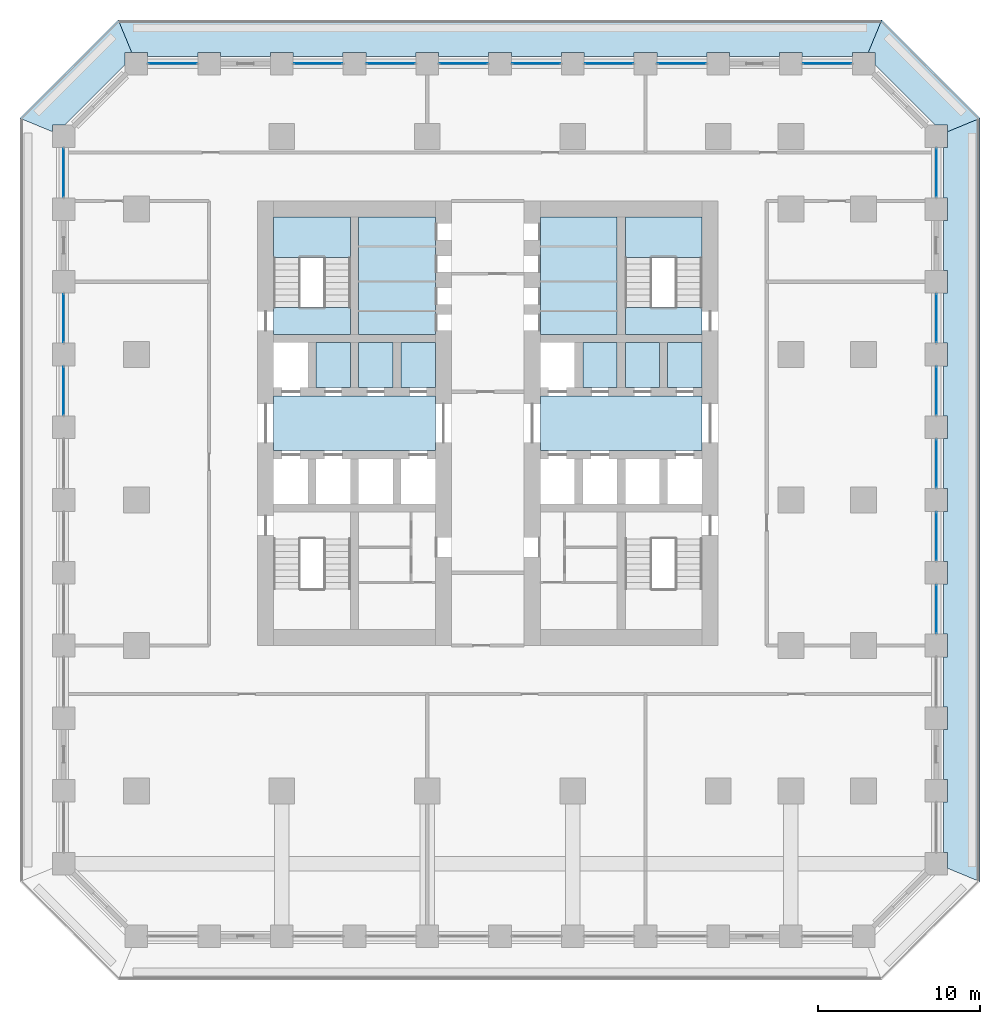
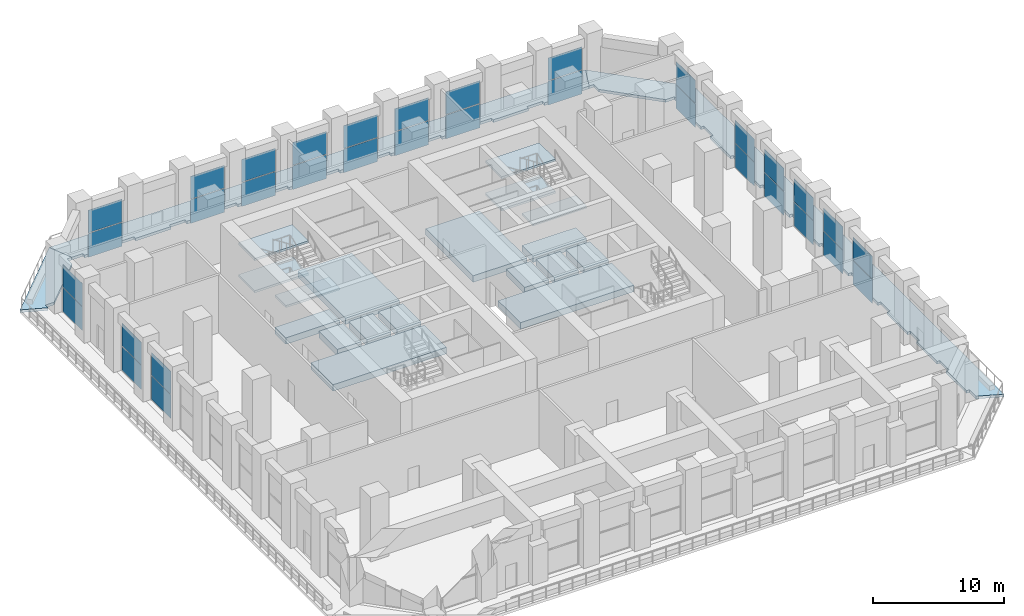
# One storey, part 10 of 19: 34 plates, 22 slabs, 19 elements without a shape of their own.
"""IFC4 building model written with IfcOpenShell, lengths in metres."""

from ifc_helpers import new_model, si_unit, direction, frame, origin, origin_2d, place, context, subcontext, project, spatial, polyline, rectangle, outline, extrude, material, layer, layer_set, type_object, element, aggregate, save


model = new_model("IFC4")

# Units and contexts
model_context = context("Model", 3, precision=1e-05, world=origin(), true_north=direction((0.0, 1.0)))
body_context = subcontext(model_context, "Body", "Model", "MODEL_VIEW")
ifc_project = project(units=[si_unit("LENGTHUNIT", "METRE"), si_unit("AREAUNIT", "SQUARE_METRE"), si_unit("VOLUMEUNIT", "CUBIC_METRE"), si_unit("PLANEANGLEUNIT", "RADIAN"), si_unit("MASSUNIT", "GRAM", prefix="KILO")], contexts=[model_context])

# Site, building, storey
site_placement = place(None, origin())
site = spatial("IfcSite", under=ifc_project, at=site_placement, CompositionType="ELEMENT")
building_placement = place(site_placement, origin())
building = spatial("IfcBuilding", under=site, at=building_placement, Name="Corbel Stack Research Tower", CompositionType="ELEMENT")
storey_placement = place(building_placement, frame((0.0, 0.0, 70.60009765625)))
storey = spatial("IfcBuildingStorey", under=building, at=storey_placement, Name="L16", CompositionType="ELEMENT", Elevation=70.60009765625)

# Curtain wall, plates
ifc_material_1 = material(Name="Aluminium frame, clear glass", Category="aluminium")
curtain_wall_type = type_object("IfcCurtainWallType", Name="Amenity floor curtain wall CW2", PredefinedType="NOTDEFINED", material=ifc_material_1)
curtain_wall_1_placement = place(storey_placement, origin())
curtain_wall_1 = element("IfcCurtainWall", 1, at=curtain_wall_1_placement, inside=storey, type_object=curtain_wall_type, Name="Curtain wall CW2 L16 E04", PredefinedType="NOTDEFINED")
ifc_material_2 = material(Name="Clear glass", Category="glass")
ifc_layer_1 = layer(ifc_material_2, 0.028076171875)
ifc_layer_set_1 = layer_set([ifc_layer_1], Name="Clear glass")
plate_type = type_object("IfcPlateType", Name="Clear glazing 28", PredefinedType="CURTAIN_PANEL", material=ifc_layer_set_1)
plate_1_placement = place(storey_placement, frame((31.5, -6.75, 0.059814453125), z_axis=(0.0, 0.0, 1.0), x_axis=(0.0, 1.0, 0.0)))
plate_1 = element("IfcPlate", 2, at=plate_1_placement, type_object=plate_type, Name="CW2 L16 E04 panel 1.1", PredefinedType="CURTAIN_PANEL", context=body_context, shape_type="SweptSolid", body=[
    extrude(rectangle(XDim=2.97998046875, YDim=0.028076171875, at=origin_2d()), origin(), (0.0, 0.0, 1.0), 2.2099609375),
])
plate_2_placement = place(storey_placement, frame((31.5, -6.75, 2.330078125), z_axis=(0.0, 0.0, 1.0), x_axis=(0.0, 1.0, 0.0)))
plate_2 = element("IfcPlate", 3, at=plate_2_placement, type_object=plate_type, Name="CW2 L16 E04 panel 1.2", PredefinedType="CURTAIN_PANEL", context=body_context, shape_type="SweptSolid", body=[
    extrude(rectangle(XDim=2.97998046875, YDim=0.028076171875, at=origin_2d()), origin(), (0.0, 0.0, 1.0), 2.110107421875),
])
aggregate(curtain_wall_1, [plate_1, plate_2])

curtain_wall_2_placement = place(storey_placement, origin())
curtain_wall_2 = element("IfcCurtainWall", 4, at=curtain_wall_2_placement, inside=storey, type_object=curtain_wall_type, Name="Curtain wall CW2 L16 E05", PredefinedType="NOTDEFINED")
plate_3_placement = place(storey_placement, frame((31.5, -2.25, 0.059814453125), z_axis=(0.0, 0.0, 1.0), x_axis=(0.0, 1.0, 0.0)))
plate_3 = element("IfcPlate", 5, at=plate_3_placement, type_object=plate_type, Name="CW2 L16 E05 panel 1.1", PredefinedType="CURTAIN_PANEL", context=body_context, shape_type="SweptSolid", body=[
    extrude(rectangle(XDim=2.97998046875, YDim=0.028076171875, at=origin_2d()), origin(), (0.0, 0.0, 1.0), 2.2099609375),
])
plate_4_placement = place(storey_placement, frame((31.5, -2.25, 2.330078125), z_axis=(0.0, 0.0, 1.0), x_axis=(0.0, 1.0, 0.0)))
plate_4 = element("IfcPlate", 6, at=plate_4_placement, type_object=plate_type, Name="CW2 L16 E05 panel 1.2", PredefinedType="CURTAIN_PANEL", context=body_context, shape_type="SweptSolid", body=[
    extrude(rectangle(XDim=2.97998046875, YDim=0.028076171875, at=origin_2d()), origin(), (0.0, 0.0, 1.0), 2.110107421875),
])
aggregate(curtain_wall_2, [plate_3, plate_4])

curtain_wall_3_placement = place(storey_placement, origin())
curtain_wall_3 = element("IfcCurtainWall", 7, at=curtain_wall_3_placement, inside=storey, type_object=curtain_wall_type, Name="Curtain wall CW2 L16 E06", PredefinedType="NOTDEFINED")
plate_5_placement = place(storey_placement, frame((31.5, 2.25, 0.059814453125), z_axis=(0.0, 0.0, 1.0), x_axis=(0.0, 1.0, 0.0)))
plate_5 = element("IfcPlate", 8, at=plate_5_placement, type_object=plate_type, Name="CW2 L16 E06 panel 1.1", PredefinedType="CURTAIN_PANEL", context=body_context, shape_type="SweptSolid", body=[
    extrude(rectangle(XDim=2.97998046875, YDim=0.028076171875, at=origin_2d()), origin(), (0.0, 0.0, 1.0), 2.2099609375),
])
plate_6_placement = place(storey_placement, frame((31.5, 2.25, 2.330078125), z_axis=(0.0, 0.0, 1.0), x_axis=(0.0, 1.0, 0.0)))
plate_6 = element("IfcPlate", 9, at=plate_6_placement, type_object=plate_type, Name="CW2 L16 E06 panel 1.2", PredefinedType="CURTAIN_PANEL", context=body_context, shape_type="SweptSolid", body=[
    extrude(rectangle(XDim=2.97998046875, YDim=0.028076171875, at=origin_2d()), origin(), (0.0, 0.0, 1.0), 2.110107421875),
])
aggregate(curtain_wall_3, [plate_5, plate_6])

curtain_wall_4_placement = place(storey_placement, origin())
curtain_wall_4 = element("IfcCurtainWall", 10, at=curtain_wall_4_placement, inside=storey, type_object=curtain_wall_type, Name="Curtain wall CW2 L16 E07", PredefinedType="NOTDEFINED")
plate_7_placement = place(storey_placement, frame((31.5, 6.75, 0.059814453125), z_axis=(0.0, 0.0, 1.0), x_axis=(0.0, 1.0, 0.0)))
plate_7 = element("IfcPlate", 11, at=plate_7_placement, type_object=plate_type, Name="CW2 L16 E07 panel 1.1", PredefinedType="CURTAIN_PANEL", context=body_context, shape_type="SweptSolid", body=[
    extrude(rectangle(XDim=2.97998046875, YDim=0.028076171875, at=origin_2d()), origin(), (0.0, 0.0, 1.0), 2.2099609375),
])
plate_8_placement = place(storey_placement, frame((31.5, 6.75, 2.330078125), z_axis=(0.0, 0.0, 1.0), x_axis=(0.0, 1.0, 0.0)))
plate_8 = element("IfcPlate", 12, at=plate_8_placement, type_object=plate_type, Name="CW2 L16 E07 panel 1.2", PredefinedType="CURTAIN_PANEL", context=body_context, shape_type="SweptSolid", body=[
    extrude(rectangle(XDim=2.97998046875, YDim=0.028076171875, at=origin_2d()), origin(), (0.0, 0.0, 1.0), 2.110107421875),
])
aggregate(curtain_wall_4, [plate_7, plate_8])

curtain_wall_5_placement = place(storey_placement, origin())
curtain_wall_5 = element("IfcCurtainWall", 13, at=curtain_wall_5_placement, inside=storey, type_object=curtain_wall_type, Name="Curtain wall CW2 L16 E08", PredefinedType="NOTDEFINED")
plate_9_placement = place(storey_placement, frame((31.5, 11.25, 0.059814453125), z_axis=(0.0, 0.0, 1.0), x_axis=(0.0, 1.0, 0.0)))
plate_9 = element("IfcPlate", 14, at=plate_9_placement, type_object=plate_type, Name="CW2 L16 E08 panel 1.1", PredefinedType="CURTAIN_PANEL", context=body_context, shape_type="SweptSolid", body=[
    extrude(rectangle(XDim=2.97998046875, YDim=0.028076171875, at=origin_2d()), origin(), (0.0, 0.0, 1.0), 2.2099609375),
])
plate_10_placement = place(storey_placement, frame((31.5, 11.25, 2.330078125), z_axis=(0.0, 0.0, 1.0), x_axis=(0.0, 1.0, 0.0)))
plate_10 = element("IfcPlate", 15, at=plate_10_placement, type_object=plate_type, Name="CW2 L16 E08 panel 1.2", PredefinedType="CURTAIN_PANEL", context=body_context, shape_type="SweptSolid", body=[
    extrude(rectangle(XDim=2.97998046875, YDim=0.028076171875, at=origin_2d()), origin(), (0.0, 0.0, 1.0), 2.110107421875),
])
aggregate(curtain_wall_5, [plate_9, plate_10])

curtain_wall_6_placement = place(storey_placement, origin())
curtain_wall_6 = element("IfcCurtainWall", 16, at=curtain_wall_6_placement, inside=storey, type_object=curtain_wall_type, Name="Curtain wall CW2 L16 E10", PredefinedType="NOTDEFINED")
plate_11_placement = place(storey_placement, frame((31.5, 20.25, 0.059814453125), z_axis=(0.0, 0.0, 1.0), x_axis=(0.0, 1.0, 0.0)))
plate_11 = element("IfcPlate", 17, at=plate_11_placement, type_object=plate_type, Name="CW2 L16 E10 panel 1.1", PredefinedType="CURTAIN_PANEL", context=body_context, shape_type="SweptSolid", body=[
    extrude(rectangle(XDim=2.97998046875, YDim=0.028076171875, at=origin_2d()), origin(), (0.0, 0.0, 1.0), 2.2099609375),
])
plate_12_placement = place(storey_placement, frame((31.5, 20.25, 2.330078125), z_axis=(0.0, 0.0, 1.0), x_axis=(0.0, 1.0, 0.0)))
plate_12 = element("IfcPlate", 18, at=plate_12_placement, type_object=plate_type, Name="CW2 L16 E10 panel 1.2", PredefinedType="CURTAIN_PANEL", context=body_context, shape_type="SweptSolid", body=[
    extrude(rectangle(XDim=2.97998046875, YDim=0.028076171875, at=origin_2d()), origin(), (0.0, 0.0, 1.0), 2.110107421875),
])
aggregate(curtain_wall_6, [plate_11, plate_12])

curtain_wall_7_placement = place(storey_placement, origin())
curtain_wall_7 = element("IfcCurtainWall", 19, at=curtain_wall_7_placement, inside=storey, type_object=curtain_wall_type, Name="Curtain wall CW2 L16 N01", PredefinedType="NOTDEFINED")
plate_13_placement = place(storey_placement, frame((24.75, 27.0, 0.059814453125), z_axis=(0.0, 0.0, 1.0), x_axis=(-1.0, 0.0, 0.0)))
plate_13 = element("IfcPlate", 20, at=plate_13_placement, type_object=plate_type, Name="CW2 L16 N01 panel 1.1", PredefinedType="CURTAIN_PANEL", context=body_context, shape_type="SweptSolid", body=[
    extrude(rectangle(XDim=2.97998046875, YDim=0.028076171875, at=origin_2d()), origin(), (0.0, 0.0, 1.0), 2.2099609375),
])
plate_14_placement = place(storey_placement, frame((24.75, 27.0, 2.330078125), z_axis=(0.0, 0.0, 1.0), x_axis=(-1.0, 0.0, 0.0)))
plate_14 = element("IfcPlate", 21, at=plate_14_placement, type_object=plate_type, Name="CW2 L16 N01 panel 1.2", PredefinedType="CURTAIN_PANEL", context=body_context, shape_type="SweptSolid", body=[
    extrude(rectangle(XDim=2.97998046875, YDim=0.028076171875, at=origin_2d()), origin(), (0.0, 0.0, 1.0), 2.110107421875),
])
aggregate(curtain_wall_7, [plate_13, plate_14])

curtain_wall_8_placement = place(storey_placement, origin())
curtain_wall_8 = element("IfcCurtainWall", 22, at=curtain_wall_8_placement, inside=storey, type_object=curtain_wall_type, Name="Curtain wall CW2 L16 N03", PredefinedType="NOTDEFINED")
plate_15_placement = place(storey_placement, frame((15.75, 27.0, 0.059814453125), z_axis=(0.0, 0.0, 1.0), x_axis=(-1.0, 0.0, 0.0)))
plate_15 = element("IfcPlate", 23, at=plate_15_placement, type_object=plate_type, Name="CW2 L16 N03 panel 1.1", PredefinedType="CURTAIN_PANEL", context=body_context, shape_type="SweptSolid", body=[
    extrude(rectangle(XDim=2.97998046875, YDim=0.028076171875, at=origin_2d()), origin(), (0.0, 0.0, 1.0), 2.2099609375),
])
plate_16_placement = place(storey_placement, frame((15.75, 27.0, 2.330078125), z_axis=(0.0, 0.0, 1.0), x_axis=(-1.0, 0.0, 0.0)))
plate_16 = element("IfcPlate", 24, at=plate_16_placement, type_object=plate_type, Name="CW2 L16 N03 panel 1.2", PredefinedType="CURTAIN_PANEL", context=body_context, shape_type="SweptSolid", body=[
    extrude(rectangle(XDim=2.97998046875, YDim=0.028076171875, at=origin_2d()), origin(), (0.0, 0.0, 1.0), 2.110107421875),
])
aggregate(curtain_wall_8, [plate_15, plate_16])

curtain_wall_9_placement = place(storey_placement, origin())
curtain_wall_9 = element("IfcCurtainWall", 25, at=curtain_wall_9_placement, inside=storey, type_object=curtain_wall_type, Name="Curtain wall CW2 L16 N04", PredefinedType="NOTDEFINED")
plate_17_placement = place(storey_placement, frame((11.25, 27.0, 0.059814453125), z_axis=(0.0, 0.0, 1.0), x_axis=(-1.0, 0.0, 0.0)))
plate_17 = element("IfcPlate", 26, at=plate_17_placement, type_object=plate_type, Name="CW2 L16 N04 panel 1.1", PredefinedType="CURTAIN_PANEL", context=body_context, shape_type="SweptSolid", body=[
    extrude(rectangle(XDim=2.97998046875, YDim=0.028076171875, at=origin_2d()), origin(), (0.0, 0.0, 1.0), 2.2099609375),
])
plate_18_placement = place(storey_placement, frame((11.25, 27.0, 2.330078125), z_axis=(0.0, 0.0, 1.0), x_axis=(-1.0, 0.0, 0.0)))
plate_18 = element("IfcPlate", 27, at=plate_18_placement, type_object=plate_type, Name="CW2 L16 N04 panel 1.2", PredefinedType="CURTAIN_PANEL", context=body_context, shape_type="SweptSolid", body=[
    extrude(rectangle(XDim=2.97998046875, YDim=0.028076171875, at=origin_2d()), origin(), (0.0, 0.0, 1.0), 2.110107421875),
])
aggregate(curtain_wall_9, [plate_17, plate_18])

curtain_wall_10_placement = place(storey_placement, origin())
curtain_wall_10 = element("IfcCurtainWall", 28, at=curtain_wall_10_placement, inside=storey, type_object=curtain_wall_type, Name="Curtain wall CW2 L16 N05", PredefinedType="NOTDEFINED")
plate_19_placement = place(storey_placement, frame((6.75, 27.0, 0.059814453125), z_axis=(0.0, 0.0, 1.0), x_axis=(-1.0, 0.0, 0.0)))
plate_19 = element("IfcPlate", 29, at=plate_19_placement, type_object=plate_type, Name="CW2 L16 N05 panel 1.1", PredefinedType="CURTAIN_PANEL", context=body_context, shape_type="SweptSolid", body=[
    extrude(rectangle(XDim=2.97998046875, YDim=0.028076171875, at=origin_2d()), origin(), (0.0, 0.0, 1.0), 2.2099609375),
])
plate_20_placement = place(storey_placement, frame((6.75, 27.0, 2.330078125), z_axis=(0.0, 0.0, 1.0), x_axis=(-1.0, 0.0, 0.0)))
plate_20 = element("IfcPlate", 30, at=plate_20_placement, type_object=plate_type, Name="CW2 L16 N05 panel 1.2", PredefinedType="CURTAIN_PANEL", context=body_context, shape_type="SweptSolid", body=[
    extrude(rectangle(XDim=2.97998046875, YDim=0.028076171875, at=origin_2d()), origin(), (0.0, 0.0, 1.0), 2.110107421875),
])
aggregate(curtain_wall_10, [plate_19, plate_20])

curtain_wall_11_placement = place(storey_placement, origin())
curtain_wall_11 = element("IfcCurtainWall", 31, at=curtain_wall_11_placement, inside=storey, type_object=curtain_wall_type, Name="Curtain wall CW2 L16 N06", PredefinedType="NOTDEFINED")
plate_21_placement = place(storey_placement, frame((2.25, 27.0, 0.059814453125), z_axis=(0.0, 0.0, 1.0), x_axis=(-1.0, 0.0, 0.0)))
plate_21 = element("IfcPlate", 32, at=plate_21_placement, type_object=plate_type, Name="CW2 L16 N06 panel 1.1", PredefinedType="CURTAIN_PANEL", context=body_context, shape_type="SweptSolid", body=[
    extrude(rectangle(XDim=2.97998046875, YDim=0.028076171875, at=origin_2d()), origin(), (0.0, 0.0, 1.0), 2.2099609375),
])
plate_22_placement = place(storey_placement, frame((2.25, 27.0, 2.330078125), z_axis=(0.0, 0.0, 1.0), x_axis=(-1.0, 0.0, 0.0)))
plate_22 = element("IfcPlate", 33, at=plate_22_placement, type_object=plate_type, Name="CW2 L16 N06 panel 1.2", PredefinedType="CURTAIN_PANEL", context=body_context, shape_type="SweptSolid", body=[
    extrude(rectangle(XDim=2.97998046875, YDim=0.028076171875, at=origin_2d()), origin(), (0.0, 0.0, 1.0), 2.110107421875),
])
aggregate(curtain_wall_11, [plate_21, plate_22])

curtain_wall_12_placement = place(storey_placement, origin())
curtain_wall_12 = element("IfcCurtainWall", 34, at=curtain_wall_12_placement, inside=storey, type_object=curtain_wall_type, Name="Curtain wall CW2 L16 N07", PredefinedType="NOTDEFINED")
plate_23_placement = place(storey_placement, frame((-2.25, 27.0, 0.059814453125), z_axis=(0.0, 0.0, 1.0), x_axis=(-1.0, 0.0, 0.0)))
plate_23 = element("IfcPlate", 35, at=plate_23_placement, type_object=plate_type, Name="CW2 L16 N07 panel 1.1", PredefinedType="CURTAIN_PANEL", context=body_context, shape_type="SweptSolid", body=[
    extrude(rectangle(XDim=2.97998046875, YDim=0.028076171875, at=origin_2d()), origin(), (0.0, 0.0, 1.0), 2.2099609375),
])
plate_24_placement = place(storey_placement, frame((-2.25, 27.0, 2.330078125), z_axis=(0.0, 0.0, 1.0), x_axis=(-1.0, 0.0, 0.0)))
plate_24 = element("IfcPlate", 36, at=plate_24_placement, type_object=plate_type, Name="CW2 L16 N07 panel 1.2", PredefinedType="CURTAIN_PANEL", context=body_context, shape_type="SweptSolid", body=[
    extrude(rectangle(XDim=2.97998046875, YDim=0.028076171875, at=origin_2d()), origin(), (0.0, 0.0, 1.0), 2.110107421875),
])
aggregate(curtain_wall_12, [plate_23, plate_24])

curtain_wall_13_placement = place(storey_placement, origin())
curtain_wall_13 = element("IfcCurtainWall", 37, at=curtain_wall_13_placement, inside=storey, type_object=curtain_wall_type, Name="Curtain wall CW2 L16 N08", PredefinedType="NOTDEFINED")
plate_25_placement = place(storey_placement, frame((-6.75, 27.0, 0.059814453125), z_axis=(0.0, 0.0, 1.0), x_axis=(-1.0, 0.0, 0.0)))
plate_25 = element("IfcPlate", 38, at=plate_25_placement, type_object=plate_type, Name="CW2 L16 N08 panel 1.1", PredefinedType="CURTAIN_PANEL", context=body_context, shape_type="SweptSolid", body=[
    extrude(rectangle(XDim=2.97998046875, YDim=0.028076171875, at=origin_2d()), origin(), (0.0, 0.0, 1.0), 2.2099609375),
])
plate_26_placement = place(storey_placement, frame((-6.75, 27.0, 2.330078125), z_axis=(0.0, 0.0, 1.0), x_axis=(-1.0, 0.0, 0.0)))
plate_26 = element("IfcPlate", 39, at=plate_26_placement, type_object=plate_type, Name="CW2 L16 N08 panel 1.2", PredefinedType="CURTAIN_PANEL", context=body_context, shape_type="SweptSolid", body=[
    extrude(rectangle(XDim=2.97998046875, YDim=0.028076171875, at=origin_2d()), origin(), (0.0, 0.0, 1.0), 2.110107421875),
])
aggregate(curtain_wall_13, [plate_25, plate_26])

curtain_wall_14_placement = place(storey_placement, origin())
curtain_wall_14 = element("IfcCurtainWall", 40, at=curtain_wall_14_placement, inside=storey, type_object=curtain_wall_type, Name="Curtain wall CW2 L16 N10", PredefinedType="NOTDEFINED")
plate_27_placement = place(storey_placement, frame((-15.75, 27.0, 0.059814453125), z_axis=(0.0, 0.0, 1.0), x_axis=(-1.0, 0.0, 0.0)))
plate_27 = element("IfcPlate", 41, at=plate_27_placement, type_object=plate_type, Name="CW2 L16 N10 panel 1.1", PredefinedType="CURTAIN_PANEL", context=body_context, shape_type="SweptSolid", body=[
    extrude(rectangle(XDim=2.97998046875, YDim=0.028076171875, at=origin_2d()), origin(), (0.0, 0.0, 1.0), 2.2099609375),
])
plate_28_placement = place(storey_placement, frame((-15.75, 27.0, 2.330078125), z_axis=(0.0, 0.0, 1.0), x_axis=(-1.0, 0.0, 0.0)))
plate_28 = element("IfcPlate", 42, at=plate_28_placement, type_object=plate_type, Name="CW2 L16 N10 panel 1.2", PredefinedType="CURTAIN_PANEL", context=body_context, shape_type="SweptSolid", body=[
    extrude(rectangle(XDim=2.97998046875, YDim=0.028076171875, at=origin_2d()), origin(), (0.0, 0.0, 1.0), 2.110107421875),
])
aggregate(curtain_wall_14, [plate_27, plate_28])

curtain_wall_15_placement = place(storey_placement, origin())
curtain_wall_15 = element("IfcCurtainWall", 43, at=curtain_wall_15_placement, inside=storey, type_object=curtain_wall_type, Name="Curtain wall CW2 L16 W01", PredefinedType="NOTDEFINED")
plate_29_placement = place(storey_placement, frame((-22.5, 20.25, 0.059814453125), z_axis=(0.0, 0.0, 1.0), x_axis=(0.0, -1.0, 0.0)))
plate_29 = element("IfcPlate", 44, at=plate_29_placement, type_object=plate_type, Name="CW2 L16 W01 panel 1.1", PredefinedType="CURTAIN_PANEL", context=body_context, shape_type="SweptSolid", body=[
    extrude(rectangle(XDim=2.97998046875, YDim=0.028076171875, at=origin_2d()), origin(), (0.0, 0.0, 1.0), 2.2099609375),
])
plate_30_placement = place(storey_placement, frame((-22.5, 20.25, 2.330078125), z_axis=(0.0, 0.0, 1.0), x_axis=(0.0, -1.0, 0.0)))
plate_30 = element("IfcPlate", 45, at=plate_30_placement, type_object=plate_type, Name="CW2 L16 W01 panel 1.2", PredefinedType="CURTAIN_PANEL", context=body_context, shape_type="SweptSolid", body=[
    extrude(rectangle(XDim=2.97998046875, YDim=0.028076171875, at=origin_2d()), origin(), (0.0, 0.0, 1.0), 2.110107421875),
])
aggregate(curtain_wall_15, [plate_29, plate_30])

curtain_wall_16_placement = place(storey_placement, origin())
curtain_wall_16 = element("IfcCurtainWall", 46, at=curtain_wall_16_placement, inside=storey, type_object=curtain_wall_type, Name="Curtain wall CW2 L16 W03", PredefinedType="NOTDEFINED")
plate_31_placement = place(storey_placement, frame((-22.5, 11.25, 0.059814453125), z_axis=(0.0, 0.0, 1.0), x_axis=(0.0, -1.0, 0.0)))
plate_31 = element("IfcPlate", 47, at=plate_31_placement, type_object=plate_type, Name="CW2 L16 W03 panel 1.1", PredefinedType="CURTAIN_PANEL", context=body_context, shape_type="SweptSolid", body=[
    extrude(rectangle(XDim=2.97998046875, YDim=0.028076171875, at=origin_2d()), origin(), (0.0, 0.0, 1.0), 2.2099609375),
])
plate_32_placement = place(storey_placement, frame((-22.5, 11.25, 2.330078125), z_axis=(0.0, 0.0, 1.0), x_axis=(0.0, -1.0, 0.0)))
plate_32 = element("IfcPlate", 48, at=plate_32_placement, type_object=plate_type, Name="CW2 L16 W03 panel 1.2", PredefinedType="CURTAIN_PANEL", context=body_context, shape_type="SweptSolid", body=[
    extrude(rectangle(XDim=2.97998046875, YDim=0.028076171875, at=origin_2d()), origin(), (0.0, 0.0, 1.0), 2.110107421875),
])
aggregate(curtain_wall_16, [plate_31, plate_32])

curtain_wall_17_placement = place(storey_placement, origin())
curtain_wall_17 = element("IfcCurtainWall", 49, at=curtain_wall_17_placement, inside=storey, type_object=curtain_wall_type, Name="Curtain wall CW2 L16 W04", PredefinedType="NOTDEFINED")
plate_33_placement = place(storey_placement, frame((-22.5, 6.75, 0.059814453125), z_axis=(0.0, 0.0, 1.0), x_axis=(0.0, -1.0, 0.0)))
plate_33 = element("IfcPlate", 50, at=plate_33_placement, type_object=plate_type, Name="CW2 L16 W04 panel 1.1", PredefinedType="CURTAIN_PANEL", context=body_context, shape_type="SweptSolid", body=[
    extrude(rectangle(XDim=2.97998046875, YDim=0.028076171875, at=origin_2d()), origin(), (0.0, 0.0, 1.0), 2.2099609375),
])
plate_34_placement = place(storey_placement, frame((-22.5, 6.75, 2.330078125), z_axis=(0.0, 0.0, 1.0), x_axis=(0.0, -1.0, 0.0)))
plate_34 = element("IfcPlate", 51, at=plate_34_placement, type_object=plate_type, Name="CW2 L16 W04 panel 1.2", PredefinedType="CURTAIN_PANEL", context=body_context, shape_type="SweptSolid", body=[
    extrude(rectangle(XDim=2.97998046875, YDim=0.028076171875, at=origin_2d()), origin(), (0.0, 0.0, 1.0), 2.110107421875),
])
aggregate(curtain_wall_17, [plate_33, plate_34])

# Slabs
ifc_material_3 = material(Name="Concrete C45/55", Category="concrete")
ifc_layer_2 = layer(ifc_material_3, 0.25)
ifc_layer_set_2 = layer_set([ifc_layer_2], Name="Concrete C45/55")
slab_type_1 = type_object("IfcSlabType", Name="PT balcony slab 250 C45/55", PredefinedType="FLOOR", material=ifc_layer_set_2)
slab_1_placement = place(storey_placement, frame((0.0, 0.0, -0.25)))
element("IfcSlab", 52, at=slab_1_placement, inside=storey, type_object=slab_type_1, Name="Loggia slab L16 E", PredefinedType="FLOOR", context=body_context, shape_type="SweptSolid", body=[
    extrude(outline(polyline([(32.199951171875, 22.789794921875), (32.199951171875, 21.800048828125), (31.949951171875, 21.800048828125), (31.949951171875, 18.699951171875), (32.199951171875, 18.699951171875), (32.199951171875, 17.300048828125), (31.949951171875, 17.300048828125), (31.949951171875, 14.199951171875), (32.199951171875, 14.199951171875), (32.199951171875, 12.800048828125), (31.949951171875, 12.800048828125), (31.949951171875, 9.699951171875), (32.199951171875, 9.699951171875), (32.199951171875, 8.300048828125), (31.949951171875, 8.300048828125), (31.949951171875, 5.199951171875), (32.199951171875, 5.199951171875), (32.199951171875, 3.800048828125), (31.949951171875, 3.800048828125), (31.949951171875, 0.699951171875), (32.199951171875, 0.699951171875), (32.199951171875, -0.699951171875), (31.949951171875, -0.699951171875), (31.949951171875, -3.800048828125), (32.199951171875, -3.800048828125), (32.199951171875, -5.199951171875), (31.949951171875, -5.199951171875), (31.949951171875, -8.300048828125), (32.199951171875, -8.300048828125), (32.199951171875, -9.699951171875), (31.949951171875, -9.699951171875), (31.949951171875, -12.800048828125), (32.199951171875, -12.800048828125), (32.199951171875, -14.199951171875), (31.949951171875, -14.199951171875), (31.949951171875, -17.300048828125), (32.199951171875, -17.300048828125), (32.199951171875, -18.699951171875), (31.949951171875, -18.699951171875), (31.949951171875, -21.800048828125), (32.199951171875, -21.800048828125), (32.199951171875, -22.789794921875), (34.199951171875, -23.618408203125), (34.199951171875, 23.618408203125), (32.199951171875, 22.789794921875)])), origin(), (0.0, 0.0, 1.0), 0.25),
])
slab_2_placement = place(storey_placement, frame((0.0, 0.0, -0.25)))
element("IfcSlab", 53, at=slab_2_placement, inside=storey, type_object=slab_type_1, Name="Loggia slab L16 NE", PredefinedType="FLOOR", context=body_context, shape_type="SweptSolid", body=[
    extrude(outline(polyline([(27.289794921875, 27.699951171875), (27.699951171875, 27.699951171875), (27.699951171875, 26.936279296875), (31.436279296875, 23.199951171875), (32.199951171875, 23.199951171875), (32.199951171875, 22.789794921875), (34.199951171875, 23.618408203125), (28.118408203125, 29.699951171875), (27.289794921875, 27.699951171875)])), origin(), (0.0, 0.0, 1.0), 0.25),
])
slab_3_placement = place(storey_placement, frame((0.0, 0.0, -0.25)))
element("IfcSlab", 54, at=slab_3_placement, inside=storey, type_object=slab_type_1, Name="Loggia slab L16 N", PredefinedType="FLOOR", context=body_context, shape_type="SweptSolid", body=[
    extrude(outline(polyline([(-18.289794921875, 27.699951171875), (-17.300048828125, 27.699951171875), (-17.300048828125, 27.449951171875), (-14.199951171875, 27.449951171875), (-14.199951171875, 27.699951171875), (-12.800048828125, 27.699951171875), (-12.800048828125, 27.449951171875), (-9.699951171875, 27.449951171875), (-9.699951171875, 27.699951171875), (-8.300048828125, 27.699951171875), (-8.300048828125, 27.449951171875), (-5.199951171875, 27.449951171875), (-5.199951171875, 27.699951171875), (-3.800048828125, 27.699951171875), (-3.800048828125, 27.449951171875), (-0.699951171875, 27.449951171875), (-0.699951171875, 27.699951171875), (0.699951171875, 27.699951171875), (0.699951171875, 27.449951171875), (3.800048828125, 27.449951171875), (3.800048828125, 27.699951171875), (5.199951171875, 27.699951171875), (5.199951171875, 27.449951171875), (8.300048828125, 27.449951171875), (8.300048828125, 27.699951171875), (9.699951171875, 27.699951171875), (9.699951171875, 27.449951171875), (12.800048828125, 27.449951171875), (12.800048828125, 27.699951171875), (14.199951171875, 27.699951171875), (14.199951171875, 27.449951171875), (17.300048828125, 27.449951171875), (17.300048828125, 27.699951171875), (18.699951171875, 27.699951171875), (18.699951171875, 27.449951171875), (21.800048828125, 27.449951171875), (21.800048828125, 27.699951171875), (23.199951171875, 27.699951171875), (23.199951171875, 27.449951171875), (26.300048828125, 27.449951171875), (26.300048828125, 27.699951171875), (27.289794921875, 27.699951171875), (28.118408203125, 29.699951171875), (-19.118408203125, 29.699951171875), (-18.289794921875, 27.699951171875)])), origin(), (0.0, 0.0, 1.0), 0.25),
])
slab_4_placement = place(storey_placement, frame((0.0, 0.0, -0.25)))
element("IfcSlab", 55, at=slab_4_placement, inside=storey, type_object=slab_type_1, Name="Loggia slab L16 NW", PredefinedType="FLOOR", context=body_context, shape_type="SweptSolid", body=[
    extrude(outline(polyline([(-23.199951171875, 22.789794921875), (-23.199951171875, 23.199951171875), (-22.436279296875, 23.199951171875), (-18.699951171875, 26.936279296875), (-18.699951171875, 27.699951171875), (-18.289794921875, 27.699951171875), (-19.118408203125, 29.699951171875), (-25.199951171875, 23.618408203125), (-23.199951171875, 22.789794921875)])), origin(), (0.0, 0.0, 1.0), 0.25),
])
ifc_material_4 = material(Name="Concrete C45/55", Category="concrete")
ifc_layer_3 = layer(ifc_material_4, 0.60009765625)
ifc_layer_set_3 = layer_set([ifc_layer_3], Name="Concrete C45/55")
slab_type_2 = type_object("IfcSlabType", Name="PT-600", PredefinedType="FLOOR", material=ifc_layer_set_3)
slab_5_placement = place(storey_placement, frame((0.0, 0.0, -0.60009765625)))
element("IfcSlab", 56, at=slab_5_placement, inside=storey, type_object=slab_type_2, Name="West core floor L16", PredefinedType="FLOOR", context=body_context, shape_type="SweptSolid", body=[
    extrude(outline(polyline([(-9.5, 6.449951171875), (-9.5, 3.050048828125), (0.5, 3.050048828125), (0.5, 6.449951171875), (-9.5, 6.449951171875)])), origin(), (0.0, 0.0, 1.0), 0.60009765625),
])
slab_6_placement = place(storey_placement, frame((0.0, 0.0, -0.60009765625)))
element("IfcSlab", 57, at=slab_6_placement, inside=storey, type_object=slab_type_2, Name="West core floor L16", PredefinedType="FLOOR", context=body_context, shape_type="SweptSolid", body=[
    extrude(outline(polyline([(-6.875, 6.949951171875), (-4.75, 6.949951171875), (-4.75, 9.75), (-6.875, 9.75), (-6.875, 6.949951171875)])), origin(), (0.0, 0.0, 1.0), 0.60009765625),
])
slab_7_placement = place(storey_placement, frame((0.0, 0.0, -0.60009765625)))
element("IfcSlab", 58, at=slab_7_placement, inside=storey, type_object=slab_type_2, Name="West core floor L16", PredefinedType="FLOOR", context=body_context, shape_type="SweptSolid", body=[
    extrude(outline(polyline([(-2.125, 6.949951171875), (-2.125, 9.75), (-4.25, 9.75), (-4.25, 6.949951171875), (-2.125, 6.949951171875)])), origin(), (0.0, 0.0, 1.0), 0.60009765625),
])
slab_8_placement = place(storey_placement, frame((0.0, 0.0, -0.60009765625)))
element("IfcSlab", 59, at=slab_8_placement, inside=storey, type_object=slab_type_2, Name="West core floor L16", PredefinedType="FLOOR", context=body_context, shape_type="SweptSolid", body=[
    extrude(outline(polyline([(-4.25, 17.5), (-4.25, 10.25), (0.5, 10.25), (0.5, 17.5), (-4.25, 17.5)])), origin(), (0.0, 0.0, 1.0), 0.60009765625),
])
slab_9_placement = place(storey_placement, frame((0.0, 0.0, -0.60009765625)))
element("IfcSlab", 60, at=slab_9_placement, inside=storey, type_object=slab_type_2, Name="West core floor L16", PredefinedType="FLOOR", context=body_context, shape_type="SweptSolid", body=[
    extrude(outline(polyline([(0.5, 6.949951171875), (0.5, 9.75), (-1.625, 9.75), (-1.625, 6.949951171875), (0.5, 6.949951171875)])), origin(), (0.0, 0.0, 1.0), 0.60009765625),
])
slab_10_placement = place(storey_placement, frame((0.0, 0.0, -0.60009765625)))
element("IfcSlab", 61, at=slab_10_placement, inside=storey, type_object=slab_type_2, Name="East core floor L16", PredefinedType="FLOOR", context=body_context, shape_type="SweptSolid", body=[
    extrude(outline(polyline([(7.0, 6.449951171875), (7.0, 3.050048828125), (17.0, 3.050048828125), (17.0, 6.449951171875), (7.0, 6.449951171875)])), origin(), (0.0, 0.0, 1.0), 0.60009765625),
])
slab_11_placement = place(storey_placement, frame((0.0, 0.0, -0.60009765625)))
element("IfcSlab", 62, at=slab_11_placement, inside=storey, type_object=slab_type_2, Name="East core floor L16", PredefinedType="FLOOR", context=body_context, shape_type="SweptSolid", body=[
    extrude(outline(polyline([(7.0, 17.5), (7.0, 10.25), (11.75, 10.25), (11.75, 17.5), (7.0, 17.5)])), origin(), (0.0, 0.0, 1.0), 0.60009765625),
])
slab_12_placement = place(storey_placement, frame((0.0, 0.0, -0.60009765625)))
element("IfcSlab", 63, at=slab_12_placement, inside=storey, type_object=slab_type_2, Name="East core floor L16", PredefinedType="FLOOR", context=body_context, shape_type="SweptSolid", body=[
    extrude(outline(polyline([(9.625, 6.949951171875), (11.75, 6.949951171875), (11.75, 9.75), (9.625, 9.75), (9.625, 6.949951171875)])), origin(), (0.0, 0.0, 1.0), 0.60009765625),
])
slab_13_placement = place(storey_placement, frame((0.0, 0.0, -0.60009765625)))
element("IfcSlab", 64, at=slab_13_placement, inside=storey, type_object=slab_type_2, Name="East core floor L16", PredefinedType="FLOOR", context=body_context, shape_type="SweptSolid", body=[
    extrude(outline(polyline([(14.375, 6.949951171875), (14.375, 9.75), (12.25, 9.75), (12.25, 6.949951171875), (14.375, 6.949951171875)])), origin(), (0.0, 0.0, 1.0), 0.60009765625),
])
slab_14_placement = place(storey_placement, frame((0.0, 0.0, -0.60009765625)))
element("IfcSlab", 65, at=slab_14_placement, inside=storey, type_object=slab_type_2, Name="East core floor L16", PredefinedType="FLOOR", context=body_context, shape_type="SweptSolid", body=[
    extrude(outline(polyline([(17.0, 6.949951171875), (17.0, 9.75), (14.875, 9.75), (14.875, 6.949951171875), (17.0, 6.949951171875)])), origin(), (0.0, 0.0, 1.0), 0.60009765625),
])
slab_15_placement = place(storey_placement, frame((0.0, 0.0, -0.60009765625)))
element("IfcSlab", 66, at=slab_15_placement, inside=storey, type_object=slab_type_2, Name="Stair floor landing ST-W2", PredefinedType="FLOOR", context=body_context, shape_type="SweptSolid", body=[
    extrude(outline(polyline([(-9.5, 10.25), (-4.75, 10.25), (-4.75, 11.89990234375), (-9.5, 11.89990234375), (-9.5, 10.25)])), origin(), (0.0, 0.0, 1.0), 0.60009765625),
])
slab_16_placement = place(storey_placement, frame((0.0, 0.0, -0.60009765625)))
element("IfcSlab", 67, at=slab_16_placement, inside=storey, type_object=slab_type_2, Name="Stair floor landing ST-E2", PredefinedType="FLOOR", context=body_context, shape_type="SweptSolid", body=[
    extrude(outline(polyline([(12.25, 10.25), (17.0, 10.25), (17.0, 11.89990234375), (12.25, 11.89990234375), (12.25, 10.25)])), origin(), (0.0, 0.0, 1.0), 0.60009765625),
])

# Stair, slabs
ifc_material_5 = material(Name="Concrete C40/50", Category="concrete")
stair_type = type_object("IfcStairType", Name="Exit stair 36 risers, 388 going", PredefinedType="HALF_TURN_STAIR", material=ifc_material_5)
stair_1_placement = place(storey_placement, origin())
stair_1 = element("IfcStair", 68, at=stair_1_placement, inside=storey, type_object=stair_type, Name="L16 Exit stair ST-W2", PredefinedType="HALF_TURN_STAIR")
ifc_material_6 = material(Name="Concrete C40/50", Category="concrete")
ifc_layer_4 = layer(ifc_material_6, 0.199951171875)
ifc_layer_set_4 = layer_set([ifc_layer_4], Name="Concrete C40/50")
slab_type_3 = type_object("IfcSlabType", Name="Stair landing 200 C40/50", PredefinedType="LANDING", material=ifc_layer_set_4)
slab_17_placement = place(storey_placement, frame((0.0, 0.0, 1.2998046875)))
slab_17 = element("IfcSlab", 69, at=slab_17_placement, type_object=slab_type_3, Name="ST-W2 landing 1", PredefinedType="LANDING", context=body_context, shape_type="SweptSolid", body=[
    extrude(outline(polyline([(-9.5, 15.00390625), (-9.5, 17.5), (-4.75, 17.5), (-4.75, 15.00390625), (-9.5, 15.00390625)])), origin(), (0.0, 0.0, 1.0), 0.2001953125),
])
slab_18_placement = place(storey_placement, frame((0.0, 0.0, 2.7998046875)))
slab_18 = element("IfcSlab", 70, at=slab_18_placement, type_object=slab_type_3, Name="ST-W2 landing 2", PredefinedType="LANDING", context=body_context, shape_type="SweptSolid", body=[
    extrude(outline(polyline([(-9.5, 10.25), (-9.5, 11.89990234375), (-4.75, 11.89990234375), (-4.75, 10.25), (-9.5, 10.25)])), origin(), (0.0, 0.0, 1.0), 0.2001953125),
])
slab_19_placement = place(storey_placement, frame((0.0, 0.0, 4.2998046875)))
slab_19 = element("IfcSlab", 71, at=slab_19_placement, type_object=slab_type_3, Name="ST-W2 landing 3", PredefinedType="LANDING", context=body_context, shape_type="SweptSolid", body=[
    extrude(outline(polyline([(-9.5, 15.00390625), (-9.5, 17.5), (-4.75, 17.5), (-4.75, 15.00390625), (-9.5, 15.00390625)])), origin(), (0.0, 0.0, 1.0), 0.2001953125),
])
aggregate(stair_1, [slab_17, slab_18, slab_19])

stair_2_placement = place(storey_placement, origin())
stair_2 = element("IfcStair", 72, at=stair_2_placement, inside=storey, type_object=stair_type, Name="L16 Exit stair ST-E2", PredefinedType="HALF_TURN_STAIR")
slab_20_placement = place(storey_placement, frame((0.0, 0.0, 1.2998046875)))
slab_20 = element("IfcSlab", 73, at=slab_20_placement, type_object=slab_type_3, Name="ST-E2 landing 1", PredefinedType="LANDING", context=body_context, shape_type="SweptSolid", body=[
    extrude(outline(polyline([(12.25, 15.00390625), (12.25, 17.5), (17.0, 17.5), (17.0, 15.00390625), (12.25, 15.00390625)])), origin(), (0.0, 0.0, 1.0), 0.2001953125),
])
slab_21_placement = place(storey_placement, frame((0.0, 0.0, 2.7998046875)))
slab_21 = element("IfcSlab", 74, at=slab_21_placement, type_object=slab_type_3, Name="ST-E2 landing 2", PredefinedType="LANDING", context=body_context, shape_type="SweptSolid", body=[
    extrude(outline(polyline([(12.25, 10.25), (12.25, 11.89990234375), (17.0, 11.89990234375), (17.0, 10.25), (12.25, 10.25)])), origin(), (0.0, 0.0, 1.0), 0.2001953125),
])
slab_22_placement = place(storey_placement, frame((0.0, 0.0, 4.2998046875)))
slab_22 = element("IfcSlab", 75, at=slab_22_placement, type_object=slab_type_3, Name="ST-E2 landing 3", PredefinedType="LANDING", context=body_context, shape_type="SweptSolid", body=[
    extrude(outline(polyline([(12.25, 15.00390625), (12.25, 17.5), (17.0, 17.5), (17.0, 15.00390625), (12.25, 15.00390625)])), origin(), (0.0, 0.0, 1.0), 0.2001953125),
])
aggregate(stair_2, [slab_20, slab_21, slab_22])

save(model, "model.ifc")
